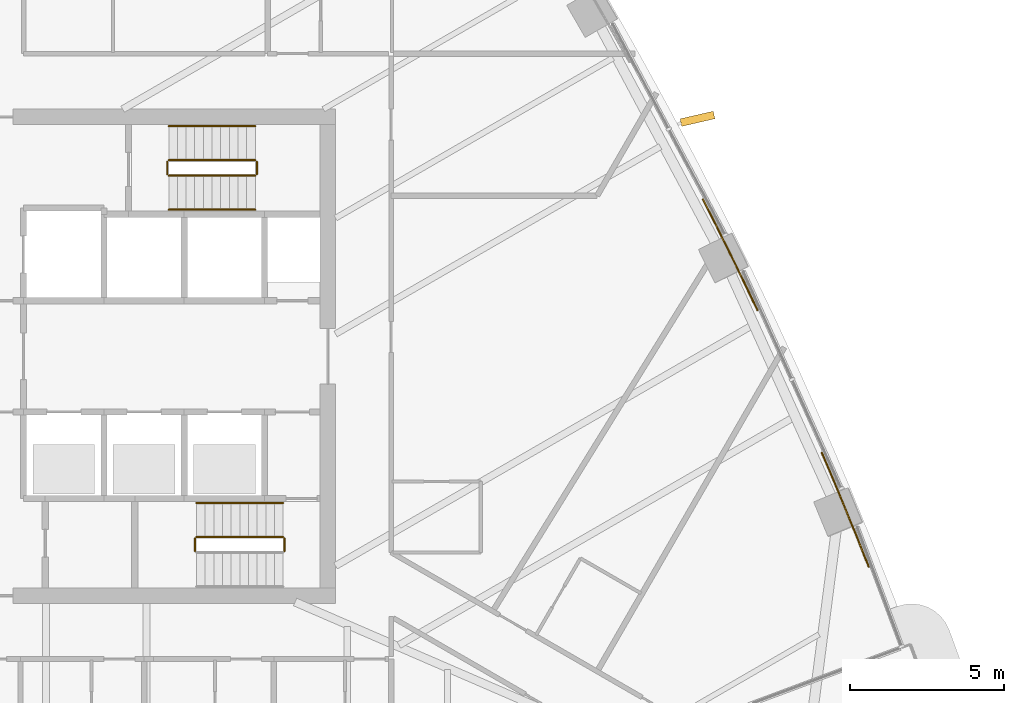
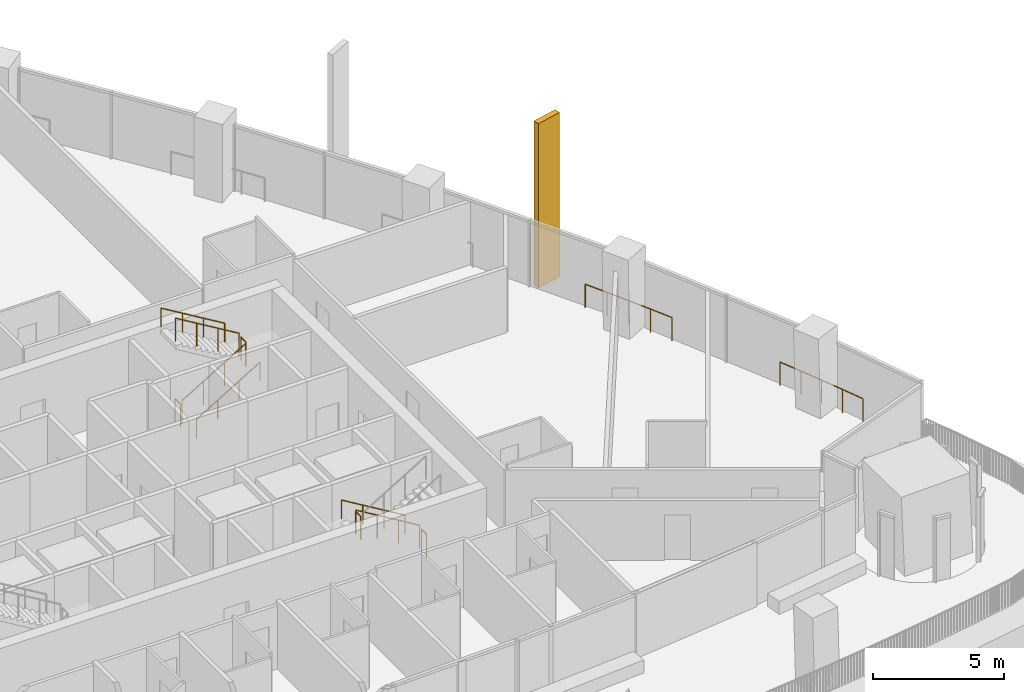
# One storey, part 23 of 25: 12 railings, 1 covering.
"""IFC4 building model written with IfcOpenShell, lengths in metres."""

from ifc_helpers import new_model, si_unit, direction, frame, origin, origin_2d, place, context, subcontext, project, spatial, rectangle, circle, extrude, material, material_profile, profile_set, type_object, element, save


model = new_model("IFC4")

# Units and contexts
model_context = context("Model", 3, precision=1e-05, world=origin(), true_north=direction((0.0, 1.0)))
body_context = subcontext(model_context, "Body", "Model", "MODEL_VIEW")
ifc_project = project(units=[si_unit("LENGTHUNIT", "METRE"), si_unit("AREAUNIT", "SQUARE_METRE"), si_unit("VOLUMEUNIT", "CUBIC_METRE"), si_unit("PLANEANGLEUNIT", "RADIAN"), si_unit("MASSUNIT", "GRAM", prefix="KILO")], contexts=[model_context])

# Site, building, storey
site_placement = place(None, origin())
site = spatial("IfcSite", under=ifc_project, at=site_placement, CompositionType="ELEMENT")
building_placement = place(site_placement, origin())
building = spatial("IfcBuilding", under=site, at=building_placement, Name="Sierra Prisma Convention Tower", CompositionType="ELEMENT")
storey_placement = place(building_placement, frame((0.0, 0.0, 88.699951171875)))
storey = spatial("IfcBuildingStorey", under=building, at=storey_placement, Name="L18", CompositionType="ELEMENT", Elevation=88.699951171875)

# Covering
ifc_material_1 = material(Name="Aluminium 6063-T6 bronze anodised", Category="aluminium")
ifc_material_profile = material_profile(ifc_material_1, rectangle(XDim=1.10009765625, YDim=0.25, at=origin_2d()), Name="ALU FIN 1100x250")
ifc_profile_set = profile_set([ifc_material_profile], Name="Aluminium 6063-T6 bronze anodised")
covering_type = type_object("IfcCoveringType", Name="Bronze facade fin", PredefinedType="CLADDING", material=ifc_profile_set)
covering_placement = place(storey_placement, frame((22.717041015625, 7.69091796875, -0.300048828125), z_axis=(0.0, 0.0, 1.0), x_axis=(0.974521704788, 0.22429321634, 0.0)))
element("IfcCovering", 1, at=covering_placement, inside=storey, type_object=covering_type, Name="Fin L18.7", ObjectType="FIN", PredefinedType="CLADDING", context=body_context, shape_type="SweptSolid", body=[
    extrude(rectangle(XDim=1.10009765625, YDim=0.25, at=origin_2d()), origin(), (0.0, 0.0, 1.0), 7.650146484375),
])

# Railings
ifc_material_2 = material(Name="Stainless steel", Category="steel")
railing_type_1 = type_object("IfcRailingType", Name="Exit stair handrail", PredefinedType="HANDRAIL", material=ifc_material_2)
railing_1_placement = place(storey_placement, frame((9.300048828125, -4.75, 0.168212890625)))
element("IfcRailing", 2, at=railing_1_placement, inside=storey, type_object=railing_type_1, Name="L18 S2 stair handrail 1", PredefinedType="HANDRAIL", context=body_context, shape_type="SweptSolid", body=[
    extrude(circle(Radius=0.02392578125, at=origin_2d()), frame((0.0, 0.0, 0.8759765625), z_axis=(-0.857242210791, 0.0, 0.514913383045), x_axis=(0.0, -1.0, 0.0)), (0.0, 0.0, 1.0), 3.266357421875),
    extrude(circle(Radius=0.02099609375, at=origin_2d()), origin(), (0.0, 0.0, 1.0), 0.851806640625),
    extrude(circle(Radius=0.02099609375, at=origin_2d()), frame((-0.933349609375, 0.0, 0.560546875)), (0.0, 0.0, 1.0), 0.851806640625),
    extrude(circle(Radius=0.02099609375, at=origin_2d()), frame((-1.86669921875, 0.0, 1.121337890625)), (0.0, 0.0, 1.0), 0.851806640625),
    extrude(circle(Radius=0.02099609375, at=origin_2d()), frame((-2.800048828125, 0.0, 1.681884765625)), (0.0, 0.0, 1.0), 0.851806640625),
])
railing_2_placement = place(storey_placement, frame((5.60009765625, 4.75, 0.168212890625)))
element("IfcRailing", 3, at=railing_2_placement, inside=storey, type_object=railing_type_1, Name="L18 S4 stair handrail 1", PredefinedType="HANDRAIL", context=body_context, shape_type="SweptSolid", body=[
    extrude(circle(Radius=0.02392578125, at=origin_2d()), frame((0.0, 0.0, 0.8759765625), z_axis=(0.857222391501, 0.0, 0.514946377315), x_axis=(0.0, 1.0, 0.0)), (0.0, 0.0, 1.0), 3.26611328125),
    extrude(circle(Radius=0.02099609375, at=origin_2d()), origin(), (0.0, 0.0, 1.0), 0.851806640625),
    extrude(circle(Radius=0.02099609375, at=origin_2d()), frame((0.933349609375, 0.0, 0.560546875)), (0.0, 0.0, 1.0), 0.851806640625),
    extrude(circle(Radius=0.02099609375, at=origin_2d()), frame((1.866455078125, 0.0, 1.121337890625)), (0.0, 0.0, 1.0), 0.851806640625),
    extrude(circle(Radius=0.02099609375, at=origin_2d()), frame((2.7998046875, 0.0, 1.681884765625)), (0.0, 0.0, 1.0), 0.851806640625),
])
railing_3_placement = place(storey_placement, frame((8.39990234375, 7.449951171875, 2.018310546875)))
element("IfcRailing", 4, at=railing_3_placement, inside=storey, type_object=railing_type_1, Name="L18 S4 stair handrail 2", PredefinedType="HANDRAIL", context=body_context, shape_type="SweptSolid", body=[
    extrude(circle(Radius=0.02392578125, at=origin_2d()), frame((0.0, 0.0, 0.8759765625), z_axis=(-0.857255387014, 0.0, 0.514891446264), x_axis=(0.0, -1.0, 0.0)), (0.0, 0.0, 1.0), 3.26611328125),
    extrude(circle(Radius=0.02099609375, at=origin_2d()), origin(), (0.0, 0.0, 1.0), 0.851806640625),
    extrude(circle(Radius=0.02099609375, at=origin_2d()), frame((-0.933349609375, 0.0, 0.560546875)), (0.0, 0.0, 1.0), 0.851806640625),
    extrude(circle(Radius=0.02099609375, at=origin_2d()), frame((-1.866455078125, 0.0, 1.12109375)), (0.0, 0.0, 1.0), 0.851806640625),
    extrude(circle(Radius=0.02099609375, at=origin_2d()), frame((-2.7998046875, 0.0, 1.681640625)), (0.0, 0.0, 1.0), 0.851806640625),
])
ifc_material_3 = material(Name="Bronze anodised aluminium", Category="aluminium")
railing_type_2 = type_object("IfcRailingType", Name="Facade guard 1100", PredefinedType="GUARDRAIL", material=ifc_material_3)
railing_4_placement = place(storey_placement, frame((28.2587890625, -6.80810546875, 0.0)))
element("IfcRailing", 5, at=railing_4_placement, inside=storey, type_object=railing_type_2, Name="Facade guard", PredefinedType="GUARDRAIL", context=body_context, shape_type="SweptSolid", body=[
    extrude(circle(Radius=0.02392578125, at=origin_2d()), frame((0.0, 0.0, 1.076171875), z_axis=(-0.36927309645, 0.929320924244, 0.0), x_axis=(-0.929320924244, -0.36927309645, 0.0)), (0.0, 0.0, 1.0), 0.994384765625),
    extrude(circle(Radius=0.02392578125, at=origin_2d()), frame((-0.3671875, 0.924072265625, 1.076171875), z_axis=(-0.378661364567, 0.925535288892, 0.0), x_axis=(-0.925535288892, -0.378661364567, 0.0)), (0.0, 0.0, 1.0), 1.0),
    extrude(circle(Radius=0.02392578125, at=origin_2d()), frame((-0.745849609375, 1.849609375, 1.076171875), z_axis=(-0.383255169718, 0.923642503831, 0.0), x_axis=(-0.923642503831, -0.383255169718, 0.0)), (0.0, 0.0, 1.0), 0.994384765625),
    extrude(circle(Radius=0.02392578125, at=origin_2d()), frame((-1.126953125, 2.76806640625, 1.076171875), z_axis=(-0.391885028574, 0.920014197923, 0.0), x_axis=(-0.920014197923, -0.391885028574, 0.0)), (0.0, 0.0, 1.0), 1.0),
    extrude(circle(Radius=0.02099609375, at=origin_2d()), origin(), (0.0, 0.0, 1.0), 1.052001953125),
    extrude(circle(Radius=0.02099609375, at=origin_2d()), frame((-0.3671875, 0.924072265625, 0.0)), (0.0, 0.0, 1.0), 1.052001953125),
    extrude(circle(Radius=0.02099609375, at=origin_2d()), frame((-0.745849609375, 1.849609375, 0.0)), (0.0, 0.0, 1.0), 1.052001953125),
    extrude(circle(Radius=0.02099609375, at=origin_2d()), frame((-1.126953125, 2.76806640625, 0.0)), (0.0, 0.0, 1.0), 1.052001953125),
    extrude(circle(Radius=0.02099609375, at=origin_2d()), frame((-1.518798828125, 3.68798828125, 0.0)), (0.0, 0.0, 1.0), 1.052001953125),
])
railing_5_placement = place(storey_placement, frame((24.65673828125, 1.49560546875, 0.0)))
element("IfcRailing", 6, at=railing_5_placement, inside=storey, type_object=railing_type_2, Name="Facade guard", PredefinedType="GUARDRAIL", context=body_context, shape_type="SweptSolid", body=[
    extrude(circle(Radius=0.02392578125, at=origin_2d()), frame((0.0, 0.0, 1.076171875), z_axis=(-0.430729586215, 0.902481037784, 0.0), x_axis=(-0.902481037784, -0.430729586215, 0.0)), (0.0, 0.0, 1.0), 0.999755859375),
    extrude(circle(Radius=0.02392578125, at=origin_2d()), frame((-0.4306640625, 0.90234375, 1.076171875), z_axis=(-0.439042770898, 0.898466162592, 0.0), x_axis=(-0.898466162592, -0.439042770898, 0.0)), (0.0, 0.0, 1.0), 0.994140625),
    extrude(circle(Radius=0.02392578125, at=origin_2d()), frame((-0.8671875, 1.795654296875, 1.076171875), z_axis=(-0.443596720488, 0.89622650573, 0.0), x_axis=(-0.89622650573, -0.443596720488, 0.0)), (0.0, 0.0, 1.0), 1.0),
    extrude(circle(Radius=0.02392578125, at=origin_2d()), frame((-1.310791015625, 2.69189453125, 1.076171875), z_axis=(-0.45250915098, 0.891759759284, 0.0), x_axis=(-0.891759759284, -0.45250915098, 0.0)), (0.0, 0.0, 1.0), 0.994384765625),
    extrude(circle(Radius=0.02099609375, at=origin_2d()), origin(), (0.0, 0.0, 1.0), 1.052001953125),
    extrude(circle(Radius=0.02099609375, at=origin_2d()), frame((-0.4306640625, 0.90234375, 0.0)), (0.0, 0.0, 1.0), 1.052001953125),
    extrude(circle(Radius=0.02099609375, at=origin_2d()), frame((-0.8671875, 1.795654296875, 0.0)), (0.0, 0.0, 1.0), 1.052001953125),
    extrude(circle(Radius=0.02099609375, at=origin_2d()), frame((-1.310791015625, 2.69189453125, 0.0)), (0.0, 0.0, 1.0), 1.052001953125),
    extrude(circle(Radius=0.02099609375, at=origin_2d()), frame((-1.7607421875, 3.57861328125, 0.0)), (0.0, 0.0, 1.0), 1.052001953125),
])
ifc_material_4 = material(Name="Stainless steel", Category="steel")
railing_type_3 = type_object("IfcRailingType", Name="Stair guard 1100", PredefinedType="GUARDRAIL", material=ifc_material_4)
railing_6_placement = place(storey_placement, frame((9.300048828125, -5.85009765625, 0.168212890625)))
element("IfcRailing", 7, at=railing_6_placement, inside=storey, type_object=railing_type_3, Name="L18 S2 stair guard 1", PredefinedType="GUARDRAIL", context=body_context, shape_type="SweptSolid", body=[
    extrude(circle(Radius=0.02392578125, at=origin_2d()), frame((0.0, 0.0, 1.076171875), z_axis=(-0.857242210791, 0.0, 0.514913383045), x_axis=(0.0, -1.0, 0.0)), (0.0, 0.0, 1.0), 3.266357421875),
    extrude(circle(Radius=0.02099609375, at=origin_2d()), origin(), (0.0, 0.0, 1.0), 1.052001953125),
    extrude(circle(Radius=0.02099609375, at=origin_2d()), frame((-0.933349609375, 0.0, 0.560546875)), (0.0, 0.0, 1.0), 1.052001953125),
    extrude(circle(Radius=0.02099609375, at=origin_2d()), frame((-1.86669921875, 0.0, 1.121337890625)), (0.0, 0.0, 1.0), 1.052001953125),
    extrude(circle(Radius=0.02099609375, at=origin_2d()), frame((-2.800048828125, 0.0, 1.681884765625)), (0.0, 0.0, 1.0), 1.052001953125),
])
for number, where, name in (
    (8, (6.449951171875, -5.89990234375, 1.85009765625), "L18 S2 stair guard 2"),
    (9, (9.35009765625, -5.89990234375, 0.0), "L18 S2 stair guard 4"),
):
    element("IfcRailing", number, at=place(storey_placement, frame(where)), inside=storey, type_object=railing_type_3, Name=name, PredefinedType="GUARDRAIL", context=body_context, shape_type="SweptSolid", body=[
        extrude(circle(Radius=0.02392578125, at=origin_2d()), frame((0.0, 0.0, 1.076171875), z_axis=(0.0, -1.0, 0.0), x_axis=(1.0, 0.0, 0.0)), (0.0, 0.0, 1.0), 0.400146484375),
        extrude(circle(Radius=0.02099609375, at=origin_2d()), origin(), (0.0, 0.0, 1.0), 1.052001953125),
        extrude(circle(Radius=0.02099609375, at=origin_2d()), frame((0.0, -0.400146484375, 0.0)), (0.0, 0.0, 1.0), 1.052001953125),
    ])
railing_7_placement = place(storey_placement, frame((5.60009765625, 5.85009765625, 0.168212890625)))
element("IfcRailing", 10, at=railing_7_placement, inside=storey, type_object=railing_type_3, Name="L18 S4 stair guard 1", PredefinedType="GUARDRAIL", context=body_context, shape_type="SweptSolid", body=[
    extrude(circle(Radius=0.02392578125, at=origin_2d()), frame((0.0, 0.0, 1.076171875), z_axis=(0.857222391501, 0.0, 0.514946377315), x_axis=(0.0, 1.0, 0.0)), (0.0, 0.0, 1.0), 3.26611328125),
    extrude(circle(Radius=0.02099609375, at=origin_2d()), origin(), (0.0, 0.0, 1.0), 1.052001953125),
    extrude(circle(Radius=0.02099609375, at=origin_2d()), frame((0.933349609375, 0.0, 0.560546875)), (0.0, 0.0, 1.0), 1.052001953125),
    extrude(circle(Radius=0.02099609375, at=origin_2d()), frame((1.866455078125, 0.0, 1.121337890625)), (0.0, 0.0, 1.0), 1.052001953125),
    extrude(circle(Radius=0.02099609375, at=origin_2d()), frame((2.7998046875, 0.0, 1.681884765625)), (0.0, 0.0, 1.0), 1.052001953125),
])
railing_8_placement = place(storey_placement, frame((8.449951171875, 5.89990234375, 1.85009765625)))
element("IfcRailing", 11, at=railing_8_placement, inside=storey, type_object=railing_type_3, Name="L18 S4 stair guard 2", PredefinedType="GUARDRAIL", context=body_context, shape_type="SweptSolid", body=[
    extrude(circle(Radius=0.02392578125, at=origin_2d()), frame((0.0, 0.0, 1.076171875), z_axis=(0.0, 1.0, 0.0), x_axis=(-1.0, 0.0, 0.0)), (0.0, 0.0, 1.0), 0.400146484375),
    extrude(circle(Radius=0.02099609375, at=origin_2d()), origin(), (0.0, 0.0, 1.0), 1.052001953125),
    extrude(circle(Radius=0.02099609375, at=origin_2d()), frame((0.0, 0.400146484375, 0.0)), (0.0, 0.0, 1.0), 1.052001953125),
])
railing_9_placement = place(storey_placement, frame((8.39990234375, 6.35009765625, 2.018310546875)))
element("IfcRailing", 12, at=railing_9_placement, inside=storey, type_object=railing_type_3, Name="L18 S4 stair guard 3", PredefinedType="GUARDRAIL", context=body_context, shape_type="SweptSolid", body=[
    extrude(circle(Radius=0.02392578125, at=origin_2d()), frame((0.0, 0.0, 1.076171875), z_axis=(-0.857255387014, 0.0, 0.514891446264), x_axis=(0.0, -1.0, 0.0)), (0.0, 0.0, 1.0), 3.26611328125),
    extrude(circle(Radius=0.02099609375, at=origin_2d()), origin(), (0.0, 0.0, 1.0), 1.052001953125),
    extrude(circle(Radius=0.02099609375, at=origin_2d()), frame((-0.933349609375, 0.0, 0.560546875)), (0.0, 0.0, 1.0), 1.052001953125),
    extrude(circle(Radius=0.02099609375, at=origin_2d()), frame((-1.866455078125, 0.0, 1.12109375)), (0.0, 0.0, 1.0), 1.052001953125),
    extrude(circle(Radius=0.02099609375, at=origin_2d()), frame((-2.7998046875, 0.0, 1.681640625)), (0.0, 0.0, 1.0), 1.052001953125),
])
railing_10_placement = place(storey_placement, frame((5.550048828125, 5.89990234375, 0.0)))
element("IfcRailing", 13, at=railing_10_placement, inside=storey, type_object=railing_type_3, Name="L18 S4 stair guard 4", PredefinedType="GUARDRAIL", context=body_context, shape_type="SweptSolid", body=[
    extrude(circle(Radius=0.02392578125, at=origin_2d()), frame((0.0, 0.0, 1.076171875), z_axis=(0.0, 1.0, 0.0), x_axis=(-1.0, 0.0, 0.0)), (0.0, 0.0, 1.0), 0.400146484375),
    extrude(circle(Radius=0.02099609375, at=origin_2d()), origin(), (0.0, 0.0, 1.0), 1.052001953125),
    extrude(circle(Radius=0.02099609375, at=origin_2d()), frame((0.0, 0.400146484375, 0.0)), (0.0, 0.0, 1.0), 1.052001953125),
])

save(model, "model.ifc")
